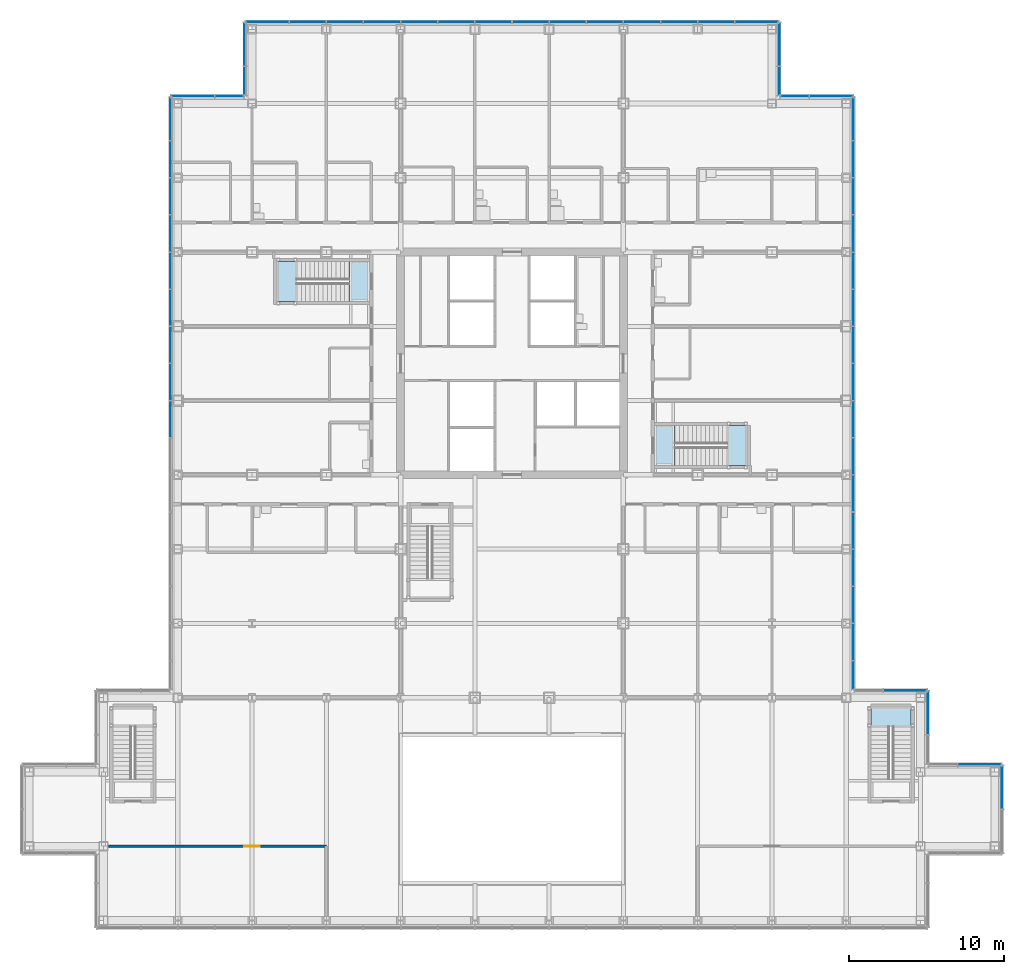
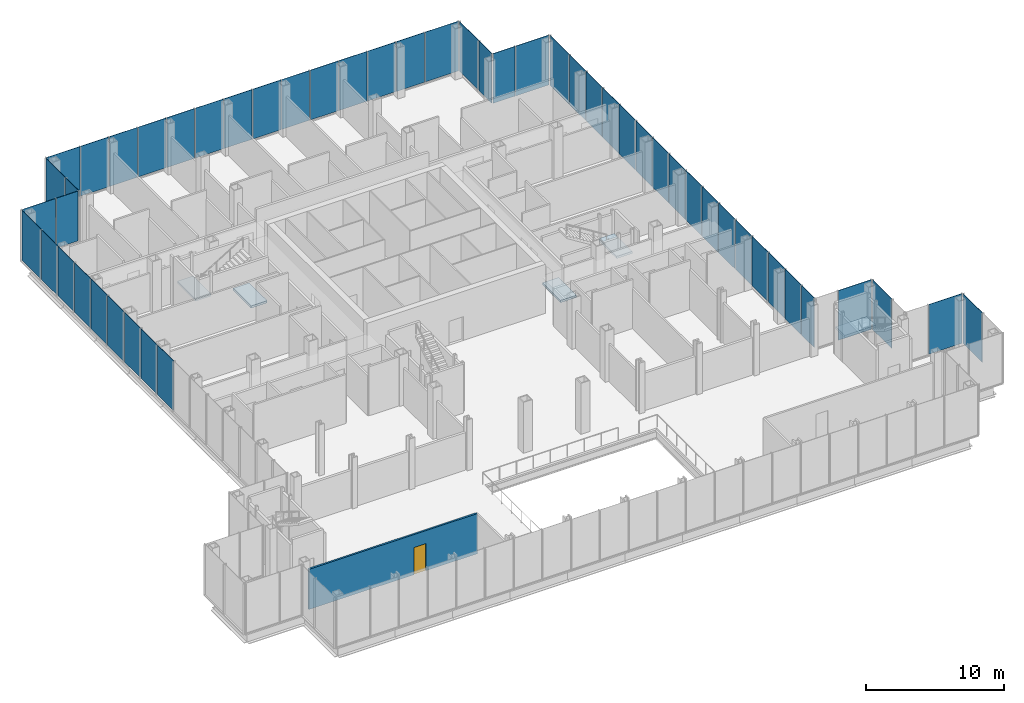
# One storey, part 18 of 25: 51 plates, 5 slabs, 1 door, 1 wall, 1 opening, 14 elements without a shape of their own.
"""IFC4 building model written with IfcOpenShell, lengths in metres."""

import ifcopenshell
import ifcopenshell.guid

model = None  # the IFC model being written
_history = None  # IfcOwnerHistory: only IFC2X3 demands one
_inside = {}  # id of a spatial element -> (the spatial element, [elements in it])
_under = {}  # id of a project, library or spatial element -> (it, [spatial elements below it])
_declared = {}  # id of a project -> (the project, [libraries it declares])
_typed = {}  # id of a type object -> (the type object, [elements of that type])
_made_of = {}  # id of a material, layer set ... -> (it, [elements and type objects made of it])


def new_model(schema):
    """Start an empty IFC model of exactly this schema.

    Asked for "IFC4X3", IfcOpenShell would pick the latest addendum, in which some entities
    have other attributes; the version numbers below select the first issue.
    IFC2X3 requires an IfcOwnerHistory on every rooted entity: one is made here for all.
    """
    global model, _history
    if schema == "IFC4X3":
        model = ifcopenshell.file(schema_version=(4, 3, 0, 0))
    else:
        model = ifcopenshell.file(schema=schema)
    _inside.clear()
    _under.clear()
    _declared.clear()
    _typed.clear()
    _made_of.clear()
    _history = None
    if model.schema == "IFC2X3":
        org = make("IfcOrganization", Name="unknown")
        user = make(
            "IfcPersonAndOrganization",
            ThePerson=make("IfcPerson", FamilyName="unknown"),
            TheOrganization=org,
        )
        app = make(
            "IfcApplication",
            ApplicationDeveloper=org,
            Version="unknown",
            ApplicationFullName="unknown",
            ApplicationIdentifier="unknown",
        )
        _history = make(
            "IfcOwnerHistory",
            OwningUser=user,
            OwningApplication=app,
            ChangeAction="ADDED",
            CreationDate=0,
        )
    return model


def make(cls, **values):
    """One entity of the class cls with the attributes given. An attribute that is None is left unset."""
    return model.create_entity(
        cls, **{name: value for name, value in values.items() if value is not None}
    )


def rooted(cls, **values):
    """An entity with a GlobalId (a new one), such as an element, a storey or a relation."""
    return make(cls, GlobalId=ifcopenshell.guid.new(), OwnerHistory=_history, **values)


def si_unit(unit_type, name, prefix=None):
    """IfcSIUnit, for example si_unit("LENGTHUNIT", "METRE", prefix="MILLI")."""
    return make("IfcSIUnit", UnitType=unit_type, Prefix=prefix, Name=name)


def assignment(units):
    """IfcUnitAssignment: the units of a project."""
    return None if units is None else make("IfcUnitAssignment", Units=units)


def point(xyz):
    """IfcCartesianPoint."""
    return None if xyz is None else make("IfcCartesianPoint", Coordinates=xyz)


def direction(xyz):
    """IfcDirection."""
    return None if xyz is None else make("IfcDirection", DirectionRatios=xyz)


def frame(location, z_axis=None, x_axis=None):
    """IfcAxis2Placement3D, a coordinate frame: its origin and axes. An axis left out is left unset."""
    return make(
        "IfcAxis2Placement3D",
        Location=point(location),
        Axis=direction(z_axis),
        RefDirection=direction(x_axis),
    )


def frame_2d(location, x_axis=None):
    """IfcAxis2Placement2D, a coordinate frame in the plane: its origin and x axis."""
    return make(
        "IfcAxis2Placement2D", Location=point(location), RefDirection=direction(x_axis)
    )


def origin():
    """The frame at (0, 0, 0) with its axes left unset."""
    return frame((0.0, 0.0, 0.0))


def origin_2d():
    """The frame at (0, 0) in the plane with its x axis left unset."""
    return frame_2d((0.0, 0.0))


def place(relative_to, where):
    """IfcLocalPlacement: puts the frame where relative to a parent placement (None: the world)."""
    return make(
        "IfcLocalPlacement", PlacementRelTo=relative_to, RelativePlacement=where
    )


def context(
    kind, dimensions, precision=None, world=None, true_north=None, identifier=None
):
    """IfcGeometricRepresentationContext, for example the 3D "Model" context."""
    return make(
        "IfcGeometricRepresentationContext",
        ContextIdentifier=identifier,
        ContextType=kind,
        CoordinateSpaceDimension=dimensions,
        Precision=precision,
        WorldCoordinateSystem=world,
        TrueNorth=true_north,
    )


def subcontext(parent, identifier, kind, view, scale=None):
    """IfcGeometricRepresentationSubContext, for example "Body" below "Model"."""
    return make(
        "IfcGeometricRepresentationSubContext",
        ContextIdentifier=identifier,
        ContextType=kind,
        ParentContext=parent,
        TargetScale=scale,
        TargetView=view,
    )


def project(units=None, contexts=None):
    """IfcProject with its units and contexts."""
    return rooted(
        "IfcProject",
        Name="project",
        RepresentationContexts=contexts,
        UnitsInContext=assignment(units),
    )


def spatial(cls, under=None, at=None, **own):
    """A site, building, storey or space (cls), placed at a placement, below another one or the project."""
    s = rooted(cls, ObjectPlacement=at, **own)
    if under is not None:
        _under.setdefault(under.id(), (under, []))[1].append(s)
    return s


def polyline(points):
    """IfcPolyline through the points."""
    return make("IfcPolyline", Points=[point(p) for p in points])


def profile(cls, at=None, kind="AREA", **sizes):
    """A parametric profile (cls). Its sizes go by their IFC names, for example OverallWidth=200.0."""
    return make(cls, ProfileType=kind, Position=at, **sizes)


def rectangle(**sizes):
    """IfcRectangleProfileDef."""
    return profile("IfcRectangleProfileDef", **sizes)


def outline(outer, holes=None, kind="AREA"):
    """IfcArbitraryClosedProfileDef: a profile drawn as a closed curve; with holes, ...WithVoids."""
    if holes is None:
        return make("IfcArbitraryClosedProfileDef", ProfileType=kind, OuterCurve=outer)
    return make(
        "IfcArbitraryProfileDefWithVoids",
        ProfileType=kind,
        OuterCurve=outer,
        InnerCurves=holes,
    )


def extrude(swept, where, along, depth):
    """IfcExtrudedAreaSolid: the profile swept, set in the frame where, extruded along a direction by depth."""
    return make(
        "IfcExtrudedAreaSolid",
        SweptArea=swept,
        Position=where,
        ExtrudedDirection=direction(along),
        Depth=depth,
    )


def shape(context_of_items, identifier, shape_type, items):
    """IfcShapeRepresentation: the items that make up one representation, for example the "Body"."""
    return make(
        "IfcShapeRepresentation",
        ContextOfItems=context_of_items,
        RepresentationIdentifier=identifier,
        RepresentationType=shape_type,
        Items=items,
    )


def material(Name=None, Category=None):
    """IfcMaterial."""
    return make("IfcMaterial", Name=Name, Category=Category)


def layer(
    of_material, thickness, ventilated=None, Name=None, Category=None, Priority=None
):
    """IfcMaterialLayer: one layer of a wall or slab, of a material (None: an air gap)."""
    return make(
        "IfcMaterialLayer",
        Material=of_material,
        LayerThickness=thickness,
        IsVentilated=ventilated,
        Name=Name,
        Category=Category,
        Priority=Priority,
    )


def layer_set(layers, Name=None):
    """IfcMaterialLayerSet."""
    return make("IfcMaterialLayerSet", MaterialLayers=layers, LayerSetName=Name)


def made_of(thing, what):
    """Note that an element or type object is made of a material, layer set ...; save() writes the relation."""
    if what is not None:
        _made_of.setdefault(what.id(), (what, []))[1].append(thing)
    return thing


def type_object(cls, material=None, **own):
    """A type object (cls), such as IfcWallType, which elements share."""
    return made_of(rooted(cls, **own), material)


def element(
    cls,
    number,
    at=None,
    inside=None,
    cuts=None,
    type_object=None,
    material=None,
    context=None,
    identifier="Body",
    shape_type=None,
    held_by="IfcProductDefinitionShape",
    body=None,
    shapes=None,
    **own,
):
    """One element of the class cls, such as IfcWall. Its Tag is "e" and its number.

    at: its placement. inside: the storey or other place that contains it. cuts: it is an
    opening in that element (IfcRelVoidsElement). A single representation is given by context,
    identifier, shape_type and body (its items); several are given by shapes. held_by: the class
    of the entity that holds the representations. save() writes the other relations.
    """
    e = rooted(cls, Tag="e%d" % number, ObjectPlacement=at, **own)
    if body is not None:
        shapes = [shape(context, identifier, shape_type, body)]
    if shapes is not None:
        e.Representation = make(held_by, Representations=shapes)
    if inside is not None:
        _inside.setdefault(inside.id(), (inside, []))[1].append(e)
    if cuts is not None:
        rooted(
            "IfcRelVoidsElement", RelatingBuildingElement=cuts, RelatedOpeningElement=e
        )
    if type_object is not None:
        _typed.setdefault(type_object.id(), (type_object, []))[1].append(e)
    return made_of(e, material)


def fill(opening, filler):
    """IfcRelFillsElement: the door or window that sits in an opening."""
    return rooted(
        "IfcRelFillsElement",
        RelatingOpeningElement=opening,
        RelatedBuildingElement=filler,
    )


def aggregate(whole, parts):
    """IfcRelAggregates: a whole, such as a stair, and the parts it consists of."""
    return rooted("IfcRelAggregates", RelatingObject=whole, RelatedObjects=parts)


def save(model, path):
    """Write the relations noted so far, then the file.

    IfcRelAggregates (storeys below a building ...), IfcRelContainedInSpatialStructure (elements
    in a storey), IfcRelDefinesByType, IfcRelAssociatesMaterial and IfcRelDeclares: one each for
    every whole, place, type object, material and project.
    """
    for whole, parts in _under.values():
        aggregate(whole, parts)
    for where, things in _inside.values():
        rooted(
            "IfcRelContainedInSpatialStructure",
            RelatedElements=things,
            RelatingStructure=where,
        )
    for kind, things in _typed.values():
        rooted("IfcRelDefinesByType", RelatedObjects=things, RelatingType=kind)
    for what, things in _made_of.values():
        rooted("IfcRelAssociatesMaterial", RelatedObjects=things, RelatingMaterial=what)
    for by, libraries in _declared.values():
        rooted("IfcRelDeclares", RelatingContext=by, RelatedDefinitions=libraries)
    model.write(path)


model = new_model("IFC4")

# Units and contexts
model_context = context("Model", 3, precision=1e-05, world=origin(), true_north=direction((0.0, 1.0)))
body_context = subcontext(model_context, "Body", "Model", "MODEL_VIEW")
ifc_project = project(units=[si_unit("LENGTHUNIT", "METRE"), si_unit("AREAUNIT", "SQUARE_METRE"), si_unit("VOLUMEUNIT", "CUBIC_METRE"), si_unit("PLANEANGLEUNIT", "RADIAN"), si_unit("MASSUNIT", "GRAM", prefix="KILO")], contexts=[model_context])

# Site, building, storey
site_placement = place(None, origin())
site = spatial("IfcSite", under=ifc_project, at=site_placement, CompositionType="ELEMENT")
building_placement = place(site_placement, origin())
building = spatial("IfcBuilding", under=site, at=building_placement, Name="Kvirike Care Tower", CompositionType="ELEMENT")
storey_placement = place(building_placement, frame((0.0, 0.0, 9.0)))
storey = spatial("IfcBuildingStorey", under=building, at=storey_placement, Name="L02", CompositionType="ELEMENT", Elevation=9.0)

# Curtain wall, plate
ifc_material_1 = material(Name="Anodised aluminium stick system", Category="aluminium")
curtain_wall_type = type_object("IfcCurtainWallType", Name="CW-P PODIUM STICK CURTAIN WALL", PredefinedType="NOTDEFINED", material=ifc_material_1)
curtain_wall_1_placement = place(storey_placement, origin())
curtain_wall_1 = element("IfcCurtainWall", 1, at=curtain_wall_1_placement, inside=storey, type_object=curtain_wall_type, Name="Curtain wall L02 face 4", PredefinedType="NOTDEFINED")
ifc_material_2 = material(Name="Tinted double glazed unit", Category="glass")
ifc_layer_1 = layer(ifc_material_2, 0.031982421875)
ifc_layer_set_1 = layer_set([ifc_layer_1], Name="PODIUM VISION PANEL 32")
plate_type = type_object("IfcPlateType", Name="PODIUM VISION PANEL 32", PredefinedType="CURTAIN_PANEL", material=ifc_layer_set_1)
plate_1_placement = place(storey_placement, frame((53.27490234375, 8.621337890625, 0.10009765625), z_axis=(0.0, 0.0, 1.0), x_axis=(0.0, 1.0, 0.0)))
plate_1 = element("IfcPlate", 2, at=plate_1_placement, type_object=plate_type, Name="CW-P panel L02 face 4.2", PredefinedType="CURTAIN_PANEL", context=body_context, shape_type="SweptSolid", body=[
    extrude(rectangle(XDim=2.777587890625, YDim=0.031982421875, at=origin_2d()), origin(), (0.0, 0.0, 1.0), 4.39990234375),
])
aggregate(curtain_wall_1, [plate_1])

curtain_wall_2_placement = place(storey_placement, origin())
curtain_wall_2 = element("IfcCurtainWall", 3, at=curtain_wall_2_placement, inside=storey, type_object=curtain_wall_type, Name="Curtain wall L02 face 5", PredefinedType="NOTDEFINED")
plate_2_placement = place(storey_placement, frame((51.8212890625, 10.074951171875, 0.10009765625), z_axis=(0.0, 0.0, 1.0), x_axis=(-1.0, 0.0, 0.0)))
plate_2 = element("IfcPlate", 4, at=plate_2_placement, type_object=plate_type, Name="CW-P panel L02 face 5.1", PredefinedType="CURTAIN_PANEL", context=body_context, shape_type="SweptSolid", body=[
    extrude(rectangle(XDim=2.777587890625, YDim=0.031982421875, at=origin_2d()), origin(), (0.0, 0.0, 1.0), 4.39990234375),
])
aggregate(curtain_wall_2, [plate_2])

curtain_wall_3_placement = place(storey_placement, origin())
curtain_wall_3 = element("IfcCurtainWall", 5, at=curtain_wall_3_placement, inside=storey, type_object=curtain_wall_type, Name="Curtain wall L02 face 6", PredefinedType="NOTDEFINED")
plate_3_placement = place(storey_placement, frame((48.47509765625, 13.421142578125, 0.10009765625), z_axis=(0.0, 0.0, 1.0), x_axis=(0.0, 1.0, 0.0)))
plate_3 = element("IfcPlate", 6, at=plate_3_placement, type_object=plate_type, Name="CW-P panel L02 face 6.2", PredefinedType="CURTAIN_PANEL", context=body_context, shape_type="SweptSolid", body=[
    extrude(rectangle(XDim=2.777587890625, YDim=0.031982421875, at=origin_2d()), origin(), (0.0, 0.0, 1.0), 4.39990234375),
])
aggregate(curtain_wall_3, [plate_3])

curtain_wall_4_placement = place(storey_placement, origin())
curtain_wall_4 = element("IfcCurtainWall", 7, at=curtain_wall_4_placement, inside=storey, type_object=curtain_wall_type, Name="Curtain wall L02 face 7", PredefinedType="NOTDEFINED")
plate_4_placement = place(storey_placement, frame((47.021240234375, 14.875, 0.10009765625), z_axis=(0.0, 0.0, 1.0), x_axis=(-1.0, 0.0, 0.0)))
plate_4 = element("IfcPlate", 8, at=plate_4_placement, type_object=plate_type, Name="CW-P panel L02 face 7.1", PredefinedType="CURTAIN_PANEL", context=body_context, shape_type="SweptSolid", body=[
    extrude(rectangle(XDim=2.777587890625, YDim=0.031982421875, at=origin_2d()), origin(), (0.0, 0.0, 1.0), 4.39990234375),
])
aggregate(curtain_wall_4, [plate_4])

# Curtain wall, plates
curtain_wall_5_placement = place(storey_placement, origin())
curtain_wall_5 = element("IfcCurtainWall", 9, at=curtain_wall_5_placement, inside=storey, type_object=curtain_wall_type, Name="Curtain wall L02 face 8", PredefinedType="NOTDEFINED")
plate_5_placement = place(storey_placement, frame((43.675048828125, 15.853759765625, 0.10009765625), z_axis=(0.0, 0.0, 1.0), x_axis=(0.0, 1.0, 0.0)))
plate_5 = element("IfcPlate", 10, at=plate_5_placement, type_object=plate_type, Name="CW-P panel L02 face 8.1", PredefinedType="CURTAIN_PANEL", context=body_context, shape_type="SweptSolid", body=[
    extrude(rectangle(XDim=1.827392578125, YDim=0.031982421875, at=origin_2d()), origin(), (0.0, 0.0, 1.0), 4.39990234375),
])
plate_6_placement = place(storey_placement, frame((43.675048828125, 18.0, 0.10009765625), z_axis=(0.0, 0.0, 1.0), x_axis=(0.0, 1.0, 0.0)))
plate_6 = element("IfcPlate", 11, at=plate_6_placement, type_object=plate_type, Name="CW-P panel L02 face 8.2", PredefinedType="CURTAIN_PANEL", context=body_context, shape_type="SweptSolid", body=[
    extrude(rectangle(XDim=2.3349609375, YDim=0.031982421875, at=origin_2d()), origin(), (0.0, 0.0, 1.0), 4.39990234375),
])
plate_7_placement = place(storey_placement, frame((43.675048828125, 20.39990234375, 0.10009765625), z_axis=(0.0, 0.0, 1.0), x_axis=(0.0, 1.0, 0.0)))
plate_7 = element("IfcPlate", 12, at=plate_7_placement, type_object=plate_type, Name="CW-P panel L02 face 8.3", PredefinedType="CURTAIN_PANEL", context=body_context, shape_type="SweptSolid", body=[
    extrude(rectangle(XDim=2.3349609375, YDim=0.031982421875, at=origin_2d()), origin(), (0.0, 0.0, 1.0), 4.39990234375),
])
plate_8_placement = place(storey_placement, frame((43.675048828125, 22.800048828125, 0.10009765625), z_axis=(0.0, 0.0, 1.0), x_axis=(0.0, 1.0, 0.0)))
plate_8 = element("IfcPlate", 13, at=plate_8_placement, type_object=plate_type, Name="CW-P panel L02 face 8.4", PredefinedType="CURTAIN_PANEL", context=body_context, shape_type="SweptSolid", body=[
    extrude(rectangle(XDim=2.3349609375, YDim=0.031982421875, at=origin_2d()), origin(), (0.0, 0.0, 1.0), 4.39990234375),
])
plate_9_placement = place(storey_placement, frame((43.675048828125, 25.199951171875, 0.10009765625), z_axis=(0.0, 0.0, 1.0), x_axis=(0.0, 1.0, 0.0)))
plate_9 = element("IfcPlate", 14, at=plate_9_placement, type_object=plate_type, Name="CW-P panel L02 face 8.5", PredefinedType="CURTAIN_PANEL", context=body_context, shape_type="SweptSolid", body=[
    extrude(rectangle(XDim=2.3349609375, YDim=0.031982421875, at=origin_2d()), origin(), (0.0, 0.0, 1.0), 4.39990234375),
])
plate_10_placement = place(storey_placement, frame((43.675048828125, 27.60009765625, 0.10009765625), z_axis=(0.0, 0.0, 1.0), x_axis=(0.0, 1.0, 0.0)))
plate_10 = element("IfcPlate", 15, at=plate_10_placement, type_object=plate_type, Name="CW-P panel L02 face 8.6", PredefinedType="CURTAIN_PANEL", context=body_context, shape_type="SweptSolid", body=[
    extrude(rectangle(XDim=2.3349609375, YDim=0.031982421875, at=origin_2d()), origin(), (0.0, 0.0, 1.0), 4.39990234375),
])
plate_11_placement = place(storey_placement, frame((43.675048828125, 30.0, 0.10009765625), z_axis=(0.0, 0.0, 1.0), x_axis=(0.0, 1.0, 0.0)))
plate_11 = element("IfcPlate", 16, at=plate_11_placement, type_object=plate_type, Name="CW-P panel L02 face 8.7", PredefinedType="CURTAIN_PANEL", context=body_context, shape_type="SweptSolid", body=[
    extrude(rectangle(XDim=2.3349609375, YDim=0.031982421875, at=origin_2d()), origin(), (0.0, 0.0, 1.0), 4.39990234375),
])
plate_12_placement = place(storey_placement, frame((43.675048828125, 32.39990234375, 0.10009765625), z_axis=(0.0, 0.0, 1.0), x_axis=(0.0, 1.0, 0.0)))
plate_12 = element("IfcPlate", 17, at=plate_12_placement, type_object=plate_type, Name="CW-P panel L02 face 8.8", PredefinedType="CURTAIN_PANEL", context=body_context, shape_type="SweptSolid", body=[
    extrude(rectangle(XDim=2.3349609375, YDim=0.031982421875, at=origin_2d()), origin(), (0.0, 0.0, 1.0), 4.39990234375),
])
plate_13_placement = place(storey_placement, frame((43.675048828125, 34.800048828125, 0.10009765625), z_axis=(0.0, 0.0, 1.0), x_axis=(0.0, 1.0, 0.0)))
plate_13 = element("IfcPlate", 18, at=plate_13_placement, type_object=plate_type, Name="CW-P panel L02 face 8.9", PredefinedType="CURTAIN_PANEL", context=body_context, shape_type="SweptSolid", body=[
    extrude(rectangle(XDim=2.3349609375, YDim=0.031982421875, at=origin_2d()), origin(), (0.0, 0.0, 1.0), 4.39990234375),
])
plate_14_placement = place(storey_placement, frame((43.675048828125, 37.199951171875, 0.10009765625), z_axis=(0.0, 0.0, 1.0), x_axis=(0.0, 1.0, 0.0)))
plate_14 = element("IfcPlate", 19, at=plate_14_placement, type_object=plate_type, Name="CW-P panel L02 face 8.10", PredefinedType="CURTAIN_PANEL", context=body_context, shape_type="SweptSolid", body=[
    extrude(rectangle(XDim=2.3349609375, YDim=0.031982421875, at=origin_2d()), origin(), (0.0, 0.0, 1.0), 4.39990234375),
])
plate_15_placement = place(storey_placement, frame((43.675048828125, 39.60009765625, 0.10009765625), z_axis=(0.0, 0.0, 1.0), x_axis=(0.0, 1.0, 0.0)))
plate_15 = element("IfcPlate", 20, at=plate_15_placement, type_object=plate_type, Name="CW-P panel L02 face 8.11", PredefinedType="CURTAIN_PANEL", context=body_context, shape_type="SweptSolid", body=[
    extrude(rectangle(XDim=2.3349609375, YDim=0.031982421875, at=origin_2d()), origin(), (0.0, 0.0, 1.0), 4.39990234375),
])
plate_16_placement = place(storey_placement, frame((43.675048828125, 42.0, 0.10009765625), z_axis=(0.0, 0.0, 1.0), x_axis=(0.0, 1.0, 0.0)))
plate_16 = element("IfcPlate", 21, at=plate_16_placement, type_object=plate_type, Name="CW-P panel L02 face 8.12", PredefinedType="CURTAIN_PANEL", context=body_context, shape_type="SweptSolid", body=[
    extrude(rectangle(XDim=2.3349609375, YDim=0.031982421875, at=origin_2d()), origin(), (0.0, 0.0, 1.0), 4.39990234375),
])
plate_17_placement = place(storey_placement, frame((43.675048828125, 44.39990234375, 0.10009765625), z_axis=(0.0, 0.0, 1.0), x_axis=(0.0, 1.0, 0.0)))
plate_17 = element("IfcPlate", 22, at=plate_17_placement, type_object=plate_type, Name="CW-P panel L02 face 8.13", PredefinedType="CURTAIN_PANEL", context=body_context, shape_type="SweptSolid", body=[
    extrude(rectangle(XDim=2.3349609375, YDim=0.031982421875, at=origin_2d()), origin(), (0.0, 0.0, 1.0), 4.39990234375),
])
plate_18_placement = place(storey_placement, frame((43.675048828125, 46.800048828125, 0.10009765625), z_axis=(0.0, 0.0, 1.0), x_axis=(0.0, 1.0, 0.0)))
plate_18 = element("IfcPlate", 23, at=plate_18_placement, type_object=plate_type, Name="CW-P panel L02 face 8.14", PredefinedType="CURTAIN_PANEL", context=body_context, shape_type="SweptSolid", body=[
    extrude(rectangle(XDim=2.3349609375, YDim=0.031982421875, at=origin_2d()), origin(), (0.0, 0.0, 1.0), 4.39990234375),
])
plate_19_placement = place(storey_placement, frame((43.675048828125, 49.199951171875, 0.10009765625), z_axis=(0.0, 0.0, 1.0), x_axis=(0.0, 1.0, 0.0)))
plate_19 = element("IfcPlate", 24, at=plate_19_placement, type_object=plate_type, Name="CW-P panel L02 face 8.15", PredefinedType="CURTAIN_PANEL", context=body_context, shape_type="SweptSolid", body=[
    extrude(rectangle(XDim=2.3349609375, YDim=0.031982421875, at=origin_2d()), origin(), (0.0, 0.0, 1.0), 4.39990234375),
])
plate_20_placement = place(storey_placement, frame((43.675048828125, 51.8212890625, 0.10009765625), z_axis=(0.0, 0.0, 1.0), x_axis=(0.0, 1.0, 0.0)))
plate_20 = element("IfcPlate", 25, at=plate_20_placement, type_object=plate_type, Name="CW-P panel L02 face 8.16", PredefinedType="CURTAIN_PANEL", context=body_context, shape_type="SweptSolid", body=[
    extrude(rectangle(XDim=2.777587890625, YDim=0.031982421875, at=origin_2d()), origin(), (0.0, 0.0, 1.0), 4.39990234375),
])
aggregate(curtain_wall_5, [plate_5, plate_6, plate_7, plate_8, plate_9, plate_10, plate_11, plate_12, plate_13, plate_14, plate_15, plate_16, plate_17, plate_18, plate_19, plate_20])

curtain_wall_6_placement = place(storey_placement, origin())
curtain_wall_6 = element("IfcCurtainWall", 26, at=curtain_wall_6_placement, inside=storey, type_object=curtain_wall_type, Name="Curtain wall L02 face 9", PredefinedType="NOTDEFINED")
plate_21_placement = place(storey_placement, frame((42.22119140625, 53.27490234375, 0.10009765625), z_axis=(0.0, 0.0, 1.0), x_axis=(-1.0, 0.0, 0.0)))
plate_21 = element("IfcPlate", 27, at=plate_21_placement, type_object=plate_type, Name="CW-P panel L02 face 9.1", PredefinedType="CURTAIN_PANEL", context=body_context, shape_type="SweptSolid", body=[
    extrude(rectangle(XDim=2.777587890625, YDim=0.031982421875, at=origin_2d()), origin(), (0.0, 0.0, 1.0), 4.39990234375),
])
plate_22_placement = place(storey_placement, frame((39.853759765625, 53.27490234375, 0.10009765625), z_axis=(0.0, 0.0, 1.0), x_axis=(-1.0, 0.0, 0.0)))
plate_22 = element("IfcPlate", 28, at=plate_22_placement, type_object=plate_type, Name="CW-P panel L02 face 9.2", PredefinedType="CURTAIN_PANEL", context=body_context, shape_type="SweptSolid", body=[
    extrude(rectangle(XDim=1.827392578125, YDim=0.031982421875, at=origin_2d()), origin(), (0.0, 0.0, 1.0), 4.39990234375),
])
aggregate(curtain_wall_6, [plate_21, plate_22])

curtain_wall_7_placement = place(storey_placement, origin())
curtain_wall_7 = element("IfcCurtainWall", 29, at=curtain_wall_7_placement, inside=storey, type_object=curtain_wall_type, Name="Curtain wall L02 face 10", PredefinedType="NOTDEFINED")
plate_23_placement = place(storey_placement, frame((38.875, 54.253662109375, 0.10009765625), z_axis=(0.0, 0.0, 1.0), x_axis=(0.0, 1.0, 0.0)))
plate_23 = element("IfcPlate", 30, at=plate_23_placement, type_object=plate_type, Name="CW-P panel L02 face 10.1", PredefinedType="CURTAIN_PANEL", context=body_context, shape_type="SweptSolid", body=[
    extrude(rectangle(XDim=1.827392578125, YDim=0.031982421875, at=origin_2d()), origin(), (0.0, 0.0, 1.0), 4.39990234375),
])
plate_24_placement = place(storey_placement, frame((38.875, 56.621337890625, 0.10009765625), z_axis=(0.0, 0.0, 1.0), x_axis=(0.0, 1.0, 0.0)))
plate_24 = element("IfcPlate", 31, at=plate_24_placement, type_object=plate_type, Name="CW-P panel L02 face 10.2", PredefinedType="CURTAIN_PANEL", context=body_context, shape_type="SweptSolid", body=[
    extrude(rectangle(XDim=2.777587890625, YDim=0.031982421875, at=origin_2d()), origin(), (0.0, 0.0, 1.0), 4.39990234375),
])
aggregate(curtain_wall_7, [plate_23, plate_24])

curtain_wall_8_placement = place(storey_placement, origin())
curtain_wall_8 = element("IfcCurtainWall", 32, at=curtain_wall_8_placement, inside=storey, type_object=curtain_wall_type, Name="Curtain wall L02 face 11", PredefinedType="NOTDEFINED")
plate_25_placement = place(storey_placement, frame((37.421142578125, 58.074951171875, 0.10009765625), z_axis=(0.0, 0.0, 1.0), x_axis=(-1.0, 0.0, 0.0)))
plate_25 = element("IfcPlate", 33, at=plate_25_placement, type_object=plate_type, Name="CW-P panel L02 face 11.1", PredefinedType="CURTAIN_PANEL", context=body_context, shape_type="SweptSolid", body=[
    extrude(rectangle(XDim=2.777587890625, YDim=0.031982421875, at=origin_2d()), origin(), (0.0, 0.0, 1.0), 4.39990234375),
])
plate_26_placement = place(storey_placement, frame((34.800048828125, 58.074951171875, 0.10009765625), z_axis=(0.0, 0.0, 1.0), x_axis=(-1.0, 0.0, 0.0)))
plate_26 = element("IfcPlate", 34, at=plate_26_placement, type_object=plate_type, Name="CW-P panel L02 face 11.2", PredefinedType="CURTAIN_PANEL", context=body_context, shape_type="SweptSolid", body=[
    extrude(rectangle(XDim=2.3349609375, YDim=0.031982421875, at=origin_2d()), origin(), (0.0, 0.0, 1.0), 4.39990234375),
])
plate_27_placement = place(storey_placement, frame((32.39990234375, 58.074951171875, 0.10009765625), z_axis=(0.0, 0.0, 1.0), x_axis=(-1.0, 0.0, 0.0)))
plate_27 = element("IfcPlate", 35, at=plate_27_placement, type_object=plate_type, Name="CW-P panel L02 face 11.3", PredefinedType="CURTAIN_PANEL", context=body_context, shape_type="SweptSolid", body=[
    extrude(rectangle(XDim=2.3349609375, YDim=0.031982421875, at=origin_2d()), origin(), (0.0, 0.0, 1.0), 4.39990234375),
])
plate_28_placement = place(storey_placement, frame((30.0, 58.074951171875, 0.10009765625), z_axis=(0.0, 0.0, 1.0), x_axis=(-1.0, 0.0, 0.0)))
plate_28 = element("IfcPlate", 36, at=plate_28_placement, type_object=plate_type, Name="CW-P panel L02 face 11.4", PredefinedType="CURTAIN_PANEL", context=body_context, shape_type="SweptSolid", body=[
    extrude(rectangle(XDim=2.3349609375, YDim=0.031982421875, at=origin_2d()), origin(), (0.0, 0.0, 1.0), 4.39990234375),
])
plate_29_placement = place(storey_placement, frame((27.60009765625, 58.074951171875, 0.10009765625), z_axis=(0.0, 0.0, 1.0), x_axis=(-1.0, 0.0, 0.0)))
plate_29 = element("IfcPlate", 37, at=plate_29_placement, type_object=plate_type, Name="CW-P panel L02 face 11.5", PredefinedType="CURTAIN_PANEL", context=body_context, shape_type="SweptSolid", body=[
    extrude(rectangle(XDim=2.3349609375, YDim=0.031982421875, at=origin_2d()), origin(), (0.0, 0.0, 1.0), 4.39990234375),
])
plate_30_placement = place(storey_placement, frame((25.199951171875, 58.074951171875, 0.10009765625), z_axis=(0.0, 0.0, 1.0), x_axis=(-1.0, 0.0, 0.0)))
plate_30 = element("IfcPlate", 38, at=plate_30_placement, type_object=plate_type, Name="CW-P panel L02 face 11.6", PredefinedType="CURTAIN_PANEL", context=body_context, shape_type="SweptSolid", body=[
    extrude(rectangle(XDim=2.3349609375, YDim=0.031982421875, at=origin_2d()), origin(), (0.0, 0.0, 1.0), 4.39990234375),
])
plate_31_placement = place(storey_placement, frame((22.800048828125, 58.074951171875, 0.10009765625), z_axis=(0.0, 0.0, 1.0), x_axis=(-1.0, 0.0, 0.0)))
plate_31 = element("IfcPlate", 39, at=plate_31_placement, type_object=plate_type, Name="CW-P panel L02 face 11.7", PredefinedType="CURTAIN_PANEL", context=body_context, shape_type="SweptSolid", body=[
    extrude(rectangle(XDim=2.3349609375, YDim=0.031982421875, at=origin_2d()), origin(), (0.0, 0.0, 1.0), 4.39990234375),
])
plate_32_placement = place(storey_placement, frame((20.39990234375, 58.074951171875, 0.10009765625), z_axis=(0.0, 0.0, 1.0), x_axis=(-1.0, 0.0, 0.0)))
plate_32 = element("IfcPlate", 40, at=plate_32_placement, type_object=plate_type, Name="CW-P panel L02 face 11.8", PredefinedType="CURTAIN_PANEL", context=body_context, shape_type="SweptSolid", body=[
    extrude(rectangle(XDim=2.3349609375, YDim=0.031982421875, at=origin_2d()), origin(), (0.0, 0.0, 1.0), 4.39990234375),
])
plate_33_placement = place(storey_placement, frame((18.0, 58.074951171875, 0.10009765625), z_axis=(0.0, 0.0, 1.0), x_axis=(-1.0, 0.0, 0.0)))
plate_33 = element("IfcPlate", 41, at=plate_33_placement, type_object=plate_type, Name="CW-P panel L02 face 11.9", PredefinedType="CURTAIN_PANEL", context=body_context, shape_type="SweptSolid", body=[
    extrude(rectangle(XDim=2.3349609375, YDim=0.031982421875, at=origin_2d()), origin(), (0.0, 0.0, 1.0), 4.39990234375),
])
plate_34_placement = place(storey_placement, frame((15.60009765625, 58.074951171875, 0.10009765625), z_axis=(0.0, 0.0, 1.0), x_axis=(-1.0, 0.0, 0.0)))
plate_34 = element("IfcPlate", 42, at=plate_34_placement, type_object=plate_type, Name="CW-P panel L02 face 11.10", PredefinedType="CURTAIN_PANEL", context=body_context, shape_type="SweptSolid", body=[
    extrude(rectangle(XDim=2.3349609375, YDim=0.031982421875, at=origin_2d()), origin(), (0.0, 0.0, 1.0), 4.39990234375),
])
plate_35_placement = place(storey_placement, frame((13.199951171875, 58.074951171875, 0.10009765625), z_axis=(0.0, 0.0, 1.0), x_axis=(-1.0, 0.0, 0.0)))
plate_35 = element("IfcPlate", 43, at=plate_35_placement, type_object=plate_type, Name="CW-P panel L02 face 11.11", PredefinedType="CURTAIN_PANEL", context=body_context, shape_type="SweptSolid", body=[
    extrude(rectangle(XDim=2.3349609375, YDim=0.031982421875, at=origin_2d()), origin(), (0.0, 0.0, 1.0), 4.39990234375),
])
plate_36_placement = place(storey_placement, frame((10.800048828125, 58.074951171875, 0.10009765625), z_axis=(0.0, 0.0, 1.0), x_axis=(-1.0, 0.0, 0.0)))
plate_36 = element("IfcPlate", 44, at=plate_36_placement, type_object=plate_type, Name="CW-P panel L02 face 11.12", PredefinedType="CURTAIN_PANEL", context=body_context, shape_type="SweptSolid", body=[
    extrude(rectangle(XDim=2.3349609375, YDim=0.031982421875, at=origin_2d()), origin(), (0.0, 0.0, 1.0), 4.39990234375),
])
plate_37_placement = place(storey_placement, frame((8.39990234375, 58.074951171875, 0.10009765625), z_axis=(0.0, 0.0, 1.0), x_axis=(-1.0, 0.0, 0.0)))
plate_37 = element("IfcPlate", 45, at=plate_37_placement, type_object=plate_type, Name="CW-P panel L02 face 11.13", PredefinedType="CURTAIN_PANEL", context=body_context, shape_type="SweptSolid", body=[
    extrude(rectangle(XDim=2.3349609375, YDim=0.031982421875, at=origin_2d()), origin(), (0.0, 0.0, 1.0), 4.39990234375),
])
plate_38_placement = place(storey_placement, frame((5.77880859375, 58.074951171875, 0.10009765625), z_axis=(0.0, 0.0, 1.0), x_axis=(-1.0, 0.0, 0.0)))
plate_38 = element("IfcPlate", 46, at=plate_38_placement, type_object=plate_type, Name="CW-P panel L02 face 11.14", PredefinedType="CURTAIN_PANEL", context=body_context, shape_type="SweptSolid", body=[
    extrude(rectangle(XDim=2.777587890625, YDim=0.031982421875, at=origin_2d()), origin(), (0.0, 0.0, 1.0), 4.39990234375),
])
aggregate(curtain_wall_8, [plate_25, plate_26, plate_27, plate_28, plate_29, plate_30, plate_31, plate_32, plate_33, plate_34, plate_35, plate_36, plate_37, plate_38])

curtain_wall_9_placement = place(storey_placement, origin())
curtain_wall_9 = element("IfcCurtainWall", 47, at=curtain_wall_9_placement, inside=storey, type_object=curtain_wall_type, Name="Curtain wall L02 face 12", PredefinedType="NOTDEFINED")
plate_39_placement = place(storey_placement, frame((4.324951171875, 56.621337890625, 0.10009765625), z_axis=(0.0, 0.0, 1.0), x_axis=(0.0, -1.0, 0.0)))
plate_39 = element("IfcPlate", 48, at=plate_39_placement, type_object=plate_type, Name="CW-P panel L02 face 12.1", PredefinedType="CURTAIN_PANEL", context=body_context, shape_type="SweptSolid", body=[
    extrude(rectangle(XDim=2.777587890625, YDim=0.031982421875, at=origin_2d()), origin(), (0.0, 0.0, 1.0), 4.39990234375),
])
plate_40_placement = place(storey_placement, frame((4.324951171875, 54.253662109375, 0.10009765625), z_axis=(0.0, 0.0, 1.0), x_axis=(0.0, -1.0, 0.0)))
plate_40 = element("IfcPlate", 49, at=plate_40_placement, type_object=plate_type, Name="CW-P panel L02 face 12.2", PredefinedType="CURTAIN_PANEL", context=body_context, shape_type="SweptSolid", body=[
    extrude(rectangle(XDim=1.827392578125, YDim=0.031982421875, at=origin_2d()), origin(), (0.0, 0.0, 1.0), 4.39990234375),
])
aggregate(curtain_wall_9, [plate_39, plate_40])

curtain_wall_10_placement = place(storey_placement, origin())
curtain_wall_10 = element("IfcCurtainWall", 50, at=curtain_wall_10_placement, inside=storey, type_object=curtain_wall_type, Name="Curtain wall L02 face 13", PredefinedType="NOTDEFINED")
plate_41_placement = place(storey_placement, frame((3.34619140625, 53.27490234375, 0.10009765625), z_axis=(0.0, 0.0, 1.0), x_axis=(-1.0, 0.0, 0.0)))
plate_41 = element("IfcPlate", 51, at=plate_41_placement, type_object=plate_type, Name="CW-P panel L02 face 13.1", PredefinedType="CURTAIN_PANEL", context=body_context, shape_type="SweptSolid", body=[
    extrude(rectangle(XDim=1.827392578125, YDim=0.031982421875, at=origin_2d()), origin(), (0.0, 0.0, 1.0), 4.39990234375),
])
plate_42_placement = place(storey_placement, frame((0.978759765625, 53.27490234375, 0.10009765625), z_axis=(0.0, 0.0, 1.0), x_axis=(-1.0, 0.0, 0.0)))
plate_42 = element("IfcPlate", 52, at=plate_42_placement, type_object=plate_type, Name="CW-P panel L02 face 13.2", PredefinedType="CURTAIN_PANEL", context=body_context, shape_type="SweptSolid", body=[
    extrude(rectangle(XDim=2.777587890625, YDim=0.031982421875, at=origin_2d()), origin(), (0.0, 0.0, 1.0), 4.39990234375),
])
aggregate(curtain_wall_10, [plate_41, plate_42])

curtain_wall_11_placement = place(storey_placement, origin())
curtain_wall_11 = element("IfcCurtainWall", 53, at=curtain_wall_11_placement, inside=storey, type_object=curtain_wall_type, Name="Curtain wall L02 face 14", PredefinedType="NOTDEFINED")
plate_43_placement = place(storey_placement, frame((-0.47509765625, 51.8212890625, 0.10009765625), z_axis=(0.0, 0.0, 1.0), x_axis=(0.0, -1.0, 0.0)))
plate_43 = element("IfcPlate", 54, at=plate_43_placement, type_object=plate_type, Name="CW-P panel L02 face 14.1", PredefinedType="CURTAIN_PANEL", context=body_context, shape_type="SweptSolid", body=[
    extrude(rectangle(XDim=2.777587890625, YDim=0.031982421875, at=origin_2d()), origin(), (0.0, 0.0, 1.0), 4.39990234375),
])
plate_44_placement = place(storey_placement, frame((-0.47509765625, 49.199951171875, 0.10009765625), z_axis=(0.0, 0.0, 1.0), x_axis=(0.0, -1.0, 0.0)))
plate_44 = element("IfcPlate", 55, at=plate_44_placement, type_object=plate_type, Name="CW-P panel L02 face 14.2", PredefinedType="CURTAIN_PANEL", context=body_context, shape_type="SweptSolid", body=[
    extrude(rectangle(XDim=2.3349609375, YDim=0.031982421875, at=origin_2d()), origin(), (0.0, 0.0, 1.0), 4.39990234375),
])
plate_45_placement = place(storey_placement, frame((-0.47509765625, 46.800048828125, 0.10009765625), z_axis=(0.0, 0.0, 1.0), x_axis=(0.0, -1.0, 0.0)))
plate_45 = element("IfcPlate", 56, at=plate_45_placement, type_object=plate_type, Name="CW-P panel L02 face 14.3", PredefinedType="CURTAIN_PANEL", context=body_context, shape_type="SweptSolid", body=[
    extrude(rectangle(XDim=2.3349609375, YDim=0.031982421875, at=origin_2d()), origin(), (0.0, 0.0, 1.0), 4.39990234375),
])
plate_46_placement = place(storey_placement, frame((-0.47509765625, 44.39990234375, 0.10009765625), z_axis=(0.0, 0.0, 1.0), x_axis=(0.0, -1.0, 0.0)))
plate_46 = element("IfcPlate", 57, at=plate_46_placement, type_object=plate_type, Name="CW-P panel L02 face 14.4", PredefinedType="CURTAIN_PANEL", context=body_context, shape_type="SweptSolid", body=[
    extrude(rectangle(XDim=2.3349609375, YDim=0.031982421875, at=origin_2d()), origin(), (0.0, 0.0, 1.0), 4.39990234375),
])
plate_47_placement = place(storey_placement, frame((-0.47509765625, 42.0, 0.10009765625), z_axis=(0.0, 0.0, 1.0), x_axis=(0.0, -1.0, 0.0)))
plate_47 = element("IfcPlate", 58, at=plate_47_placement, type_object=plate_type, Name="CW-P panel L02 face 14.5", PredefinedType="CURTAIN_PANEL", context=body_context, shape_type="SweptSolid", body=[
    extrude(rectangle(XDim=2.3349609375, YDim=0.031982421875, at=origin_2d()), origin(), (0.0, 0.0, 1.0), 4.39990234375),
])
plate_48_placement = place(storey_placement, frame((-0.47509765625, 39.60009765625, 0.10009765625), z_axis=(0.0, 0.0, 1.0), x_axis=(0.0, -1.0, 0.0)))
plate_48 = element("IfcPlate", 59, at=plate_48_placement, type_object=plate_type, Name="CW-P panel L02 face 14.6", PredefinedType="CURTAIN_PANEL", context=body_context, shape_type="SweptSolid", body=[
    extrude(rectangle(XDim=2.3349609375, YDim=0.031982421875, at=origin_2d()), origin(), (0.0, 0.0, 1.0), 4.39990234375),
])
plate_49_placement = place(storey_placement, frame((-0.47509765625, 37.199951171875, 0.10009765625), z_axis=(0.0, 0.0, 1.0), x_axis=(0.0, -1.0, 0.0)))
plate_49 = element("IfcPlate", 60, at=plate_49_placement, type_object=plate_type, Name="CW-P panel L02 face 14.7", PredefinedType="CURTAIN_PANEL", context=body_context, shape_type="SweptSolid", body=[
    extrude(rectangle(XDim=2.3349609375, YDim=0.031982421875, at=origin_2d()), origin(), (0.0, 0.0, 1.0), 4.39990234375),
])
plate_50_placement = place(storey_placement, frame((-0.47509765625, 34.800048828125, 0.10009765625), z_axis=(0.0, 0.0, 1.0), x_axis=(0.0, -1.0, 0.0)))
plate_50 = element("IfcPlate", 61, at=plate_50_placement, type_object=plate_type, Name="CW-P panel L02 face 14.8", PredefinedType="CURTAIN_PANEL", context=body_context, shape_type="SweptSolid", body=[
    extrude(rectangle(XDim=2.3349609375, YDim=0.031982421875, at=origin_2d()), origin(), (0.0, 0.0, 1.0), 4.39990234375),
])
plate_51_placement = place(storey_placement, frame((-0.47509765625, 32.39990234375, 0.10009765625), z_axis=(0.0, 0.0, 1.0), x_axis=(0.0, -1.0, 0.0)))
plate_51 = element("IfcPlate", 62, at=plate_51_placement, type_object=plate_type, Name="CW-P panel L02 face 14.9", PredefinedType="CURTAIN_PANEL", context=body_context, shape_type="SweptSolid", body=[
    extrude(rectangle(XDim=2.3349609375, YDim=0.031982421875, at=origin_2d()), origin(), (0.0, 0.0, 1.0), 4.39990234375),
])
aggregate(curtain_wall_11, [plate_43, plate_44, plate_45, plate_46, plate_47, plate_48, plate_49, plate_50, plate_51])

# Stair, slabs
ifc_material_3 = material(Name="Concrete C35/45", Category="concrete")
stair_type = type_object("IfcStairType", Name="STAIR 26 RISERS", PredefinedType="HALF_TURN_STAIR", material=ifc_material_3)
stair_1_placement = place(storey_placement, origin())
stair_1 = element("IfcStair", 63, at=stair_1_placement, inside=storey, type_object=stair_type, Name="Stair 1 L02", PredefinedType="HALF_TURN_STAIR")
ifc_material_4 = material(Name="Concrete C35/45", Category="concrete")
ifc_layer_2 = layer(ifc_material_4, 0.199951171875)
ifc_layer_set_2 = layer_set([ifc_layer_2], Name="STAIR LANDING 200")
slab_type = type_object("IfcSlabType", Name="STAIR LANDING 200", PredefinedType="LANDING", material=ifc_layer_set_2)
slab_1_placement = place(storey_placement, frame((0.0, 0.0, -0.199951171875)))
slab_1 = element("IfcSlab", 64, at=slab_1_placement, type_object=slab_type, Name="Stair S1 floor landing L02", PredefinedType="LANDING", context=body_context, shape_type="SweptSolid", body=[
    extrude(outline(polyline([(11.06005859375, 42.60009765625), (11.06005859375, 40.0), (12.39990234375, 40.0), (12.39990234375, 42.60009765625), (11.06005859375, 42.60009765625)])), origin(), (0.0, 0.0, 1.0), 0.199951171875),
])
slab_2_placement = place(storey_placement, frame((0.0, 0.0, 2.050048828125)))
slab_2 = element("IfcSlab", 65, at=slab_2_placement, type_object=slab_type, Name="Stair S1 half landing L02-L03", PredefinedType="LANDING", context=body_context, shape_type="SweptSolid", body=[
    extrude(outline(polyline([(6.39990234375, 42.60009765625), (6.39990234375, 40.0), (7.699951171875, 40.0), (7.699951171875, 42.60009765625), (6.39990234375, 42.60009765625)])), origin(), (0.0, 0.0, 1.0), 0.199951171875),
])
aggregate(stair_1, [slab_1, slab_2])

stair_2_placement = place(storey_placement, origin())
stair_2 = element("IfcStair", 66, at=stair_2_placement, inside=storey, type_object=stair_type, Name="Stair 2 L02", PredefinedType="HALF_TURN_STAIR")
slab_3_placement = place(storey_placement, frame((0.0, 0.0, -0.199951171875)))
slab_3 = element("IfcSlab", 67, at=slab_3_placement, type_object=slab_type, Name="Stair S2 floor landing L02", PredefinedType="LANDING", context=body_context, shape_type="SweptSolid", body=[
    extrude(outline(polyline([(32.139892578125, 29.39990234375), (32.139892578125, 32.0), (30.800048828125, 32.0), (30.800048828125, 29.39990234375), (32.139892578125, 29.39990234375)])), origin(), (0.0, 0.0, 1.0), 0.199951171875),
])
slab_4_placement = place(storey_placement, frame((0.0, 0.0, 2.050048828125)))
slab_4 = element("IfcSlab", 68, at=slab_4_placement, type_object=slab_type, Name="Stair S2 half landing L02-L03", PredefinedType="LANDING", context=body_context, shape_type="SweptSolid", body=[
    extrude(outline(polyline([(36.800048828125, 29.39990234375), (36.800048828125, 32.0), (35.5, 32.0), (35.5, 29.39990234375), (36.800048828125, 29.39990234375)])), origin(), (0.0, 0.0, 1.0), 0.199951171875),
])
aggregate(stair_2, [slab_3, slab_4])

# Stair, slab
stair_3_placement = place(storey_placement, origin())
stair_3 = element("IfcStair", 69, at=stair_3_placement, inside=storey, type_object=stair_type, Name="Stair 4 L02", PredefinedType="HALF_TURN_STAIR")
slab_5_placement = place(storey_placement, frame((0.0, 0.0, 2.050048828125)))
slab_5 = element("IfcSlab", 70, at=slab_5_placement, type_object=slab_type, Name="Stair S4 half landing L02-L03", PredefinedType="LANDING", context=body_context, shape_type="SweptSolid", body=[
    extrude(outline(polyline([(44.800048828125, 12.5), (47.39990234375, 12.5), (47.39990234375, 13.800048828125), (44.800048828125, 13.800048828125), (44.800048828125, 12.5)])), origin(), (0.0, 0.0, 1.0), 0.199951171875),
])
aggregate(stair_3, [slab_5])

# Wall, opening, door
ifc_material_5 = material(Name="Plasterboard partition", Category="gypsum")
ifc_layer_3 = layer(ifc_material_5, 0.14990234375)
ifc_layer_set_3 = layer_set([ifc_layer_3], Name="CLINIC PARTITION 150")
wall_type = type_object("IfcWallType", Name="CLINIC PARTITION 150", PredefinedType="PARTITIONING", material=ifc_layer_set_3)
wall_placement = place(storey_placement, frame((-4.47998046875, 4.800048828125, 0.0), z_axis=(0.0, 0.0, 1.0), x_axis=(1.0, 0.0, 0.0)))
wall = element("IfcWall", 71, at=wall_placement, inside=storey, type_object=wall_type, Name="Clinic Partition 150 L02", PredefinedType="PARTITIONING", context=body_context, shape_type="SweptSolid", body=[
    extrude(rectangle(XDim=14.080078125, YDim=0.14990234375, at=frame_2d((7.0400390625, 0.0))), origin(), (0.0, 0.0, 1.0), 3.550048828125),
])
opening_placement = place(wall_placement, frame((8.780029296875, 0.0, 0.0)))
opening = element("IfcOpeningElement", 72, at=opening_placement, cuts=wall, Name="Opening 02-044", PredefinedType="OPENING", context=body_context, shape_type="SweptSolid", body=[
    extrude(rectangle(XDim=1.0, YDim=2.39990234375, at=frame_2d((0.5, 1.199951171875))), frame((0.0, 0.08544921875, 0.0), z_axis=(0.0, -1.0, 0.0), x_axis=(1.0, 0.0, 0.0)), (0.0, 0.0, 1.0), 0.1708984375),
])
ifc_material_6 = material(Name="Timber door set", Category="wood")
door_type = type_object("IfcDoorType", Name="CONSULTING ROOM DOOR 1000", OperationType="SINGLE_SWING_LEFT", PredefinedType="DOOR", material=ifc_material_6)
door_placement = place(opening_placement, frame((1.0, 0.0, 0.0), z_axis=(0.0, 0.0, 1.0), x_axis=(-1.0, 0.0, 0.0)))
door = element("IfcDoor", 73, at=door_placement, inside=storey, type_object=door_type, Name="Consulting room door", OperationType="SINGLE_SWING_RIGHT", OverallHeight=2.39990234375, OverallWidth=1.0, PredefinedType="DOOR", context=body_context, shape_type="SweptSolid", body=[
    extrude(rectangle(XDim=1.0, YDim=2.39990234375, at=frame_2d((0.5, 1.199951171875))), frame((0.0, 0.02685546875, 0.0), z_axis=(0.0, -1.0, 0.0), x_axis=(1.0, 0.0, 0.0)), (0.0, 0.0, 1.0), 0.053955078125),
])
fill(opening, door)

save(model, "model.ifc")
